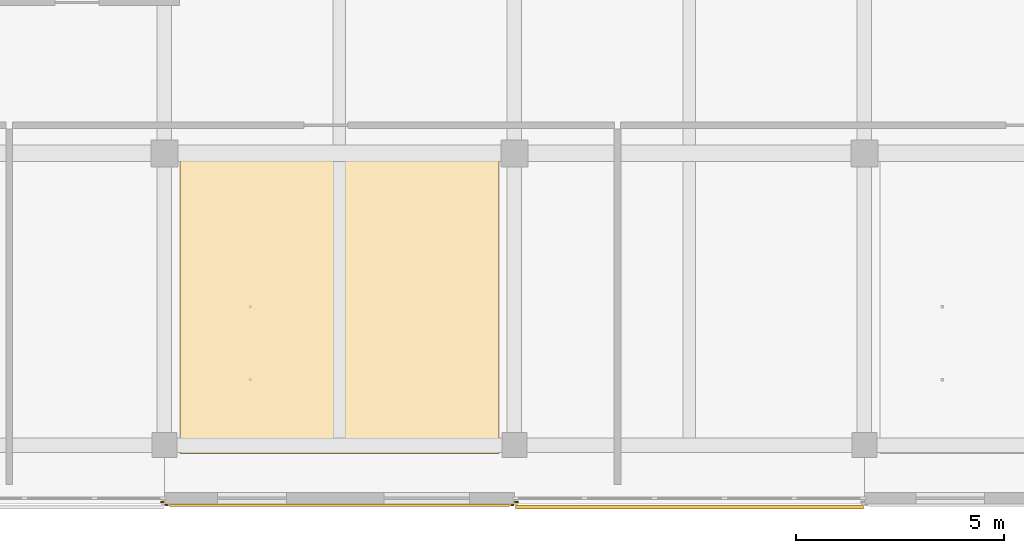
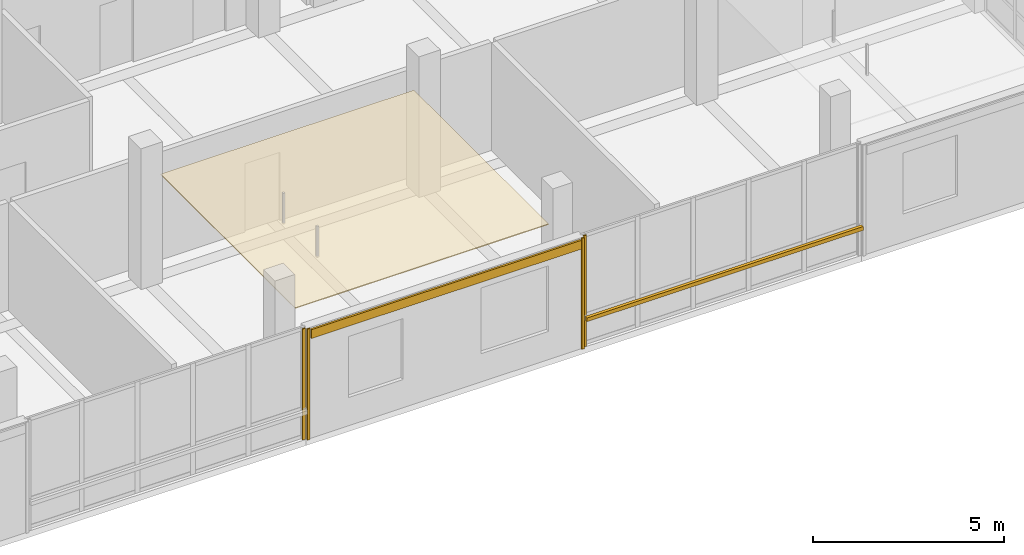
# One storey, part 23 of 29: 6 coverings, 1 shading device.
"""IFC4 building model written with IfcOpenShell, lengths in metres."""

import ifcopenshell
import ifcopenshell.guid

model = None  # the IFC model being written
_history = None  # IfcOwnerHistory: only IFC2X3 demands one
_inside = {}  # id of a spatial element -> (the spatial element, [elements in it])
_under = {}  # id of a project, library or spatial element -> (it, [spatial elements below it])
_declared = {}  # id of a project -> (the project, [libraries it declares])
_typed = {}  # id of a type object -> (the type object, [elements of that type])
_made_of = {}  # id of a material, layer set ... -> (it, [elements and type objects made of it])


def new_model(schema):
    """Start an empty IFC model of exactly this schema.

    Asked for "IFC4X3", IfcOpenShell would pick the latest addendum, in which some entities
    have other attributes; the version numbers below select the first issue.
    IFC2X3 requires an IfcOwnerHistory on every rooted entity: one is made here for all.
    """
    global model, _history
    if schema == "IFC4X3":
        model = ifcopenshell.file(schema_version=(4, 3, 0, 0))
    else:
        model = ifcopenshell.file(schema=schema)
    _inside.clear()
    _under.clear()
    _declared.clear()
    _typed.clear()
    _made_of.clear()
    _history = None
    if model.schema == "IFC2X3":
        org = make("IfcOrganization", Name="unknown")
        user = make(
            "IfcPersonAndOrganization",
            ThePerson=make("IfcPerson", FamilyName="unknown"),
            TheOrganization=org,
        )
        app = make(
            "IfcApplication",
            ApplicationDeveloper=org,
            Version="unknown",
            ApplicationFullName="unknown",
            ApplicationIdentifier="unknown",
        )
        _history = make(
            "IfcOwnerHistory",
            OwningUser=user,
            OwningApplication=app,
            ChangeAction="ADDED",
            CreationDate=0,
        )
    return model


def make(cls, **values):
    """One entity of the class cls with the attributes given. An attribute that is None is left unset."""
    return model.create_entity(
        cls, **{name: value for name, value in values.items() if value is not None}
    )


def rooted(cls, **values):
    """An entity with a GlobalId (a new one), such as an element, a storey or a relation."""
    return make(cls, GlobalId=ifcopenshell.guid.new(), OwnerHistory=_history, **values)


def si_unit(unit_type, name, prefix=None):
    """IfcSIUnit, for example si_unit("LENGTHUNIT", "METRE", prefix="MILLI")."""
    return make("IfcSIUnit", UnitType=unit_type, Prefix=prefix, Name=name)


def assignment(units):
    """IfcUnitAssignment: the units of a project."""
    return None if units is None else make("IfcUnitAssignment", Units=units)


def point(xyz):
    """IfcCartesianPoint."""
    return None if xyz is None else make("IfcCartesianPoint", Coordinates=xyz)


def direction(xyz):
    """IfcDirection."""
    return None if xyz is None else make("IfcDirection", DirectionRatios=xyz)


def frame(location, z_axis=None, x_axis=None):
    """IfcAxis2Placement3D, a coordinate frame: its origin and axes. An axis left out is left unset."""
    return make(
        "IfcAxis2Placement3D",
        Location=point(location),
        Axis=direction(z_axis),
        RefDirection=direction(x_axis),
    )


def frame_2d(location, x_axis=None):
    """IfcAxis2Placement2D, a coordinate frame in the plane: its origin and x axis."""
    return make(
        "IfcAxis2Placement2D", Location=point(location), RefDirection=direction(x_axis)
    )


def origin():
    """The frame at (0, 0, 0) with its axes left unset."""
    return frame((0.0, 0.0, 0.0))


def origin_2d():
    """The frame at (0, 0) in the plane with its x axis left unset."""
    return frame_2d((0.0, 0.0))


def place(relative_to, where):
    """IfcLocalPlacement: puts the frame where relative to a parent placement (None: the world)."""
    return make(
        "IfcLocalPlacement", PlacementRelTo=relative_to, RelativePlacement=where
    )


def context(
    kind, dimensions, precision=None, world=None, true_north=None, identifier=None
):
    """IfcGeometricRepresentationContext, for example the 3D "Model" context."""
    return make(
        "IfcGeometricRepresentationContext",
        ContextIdentifier=identifier,
        ContextType=kind,
        CoordinateSpaceDimension=dimensions,
        Precision=precision,
        WorldCoordinateSystem=world,
        TrueNorth=true_north,
    )


def subcontext(parent, identifier, kind, view, scale=None):
    """IfcGeometricRepresentationSubContext, for example "Body" below "Model"."""
    return make(
        "IfcGeometricRepresentationSubContext",
        ContextIdentifier=identifier,
        ContextType=kind,
        ParentContext=parent,
        TargetScale=scale,
        TargetView=view,
    )


def project(units=None, contexts=None):
    """IfcProject with its units and contexts."""
    return rooted(
        "IfcProject",
        Name="project",
        RepresentationContexts=contexts,
        UnitsInContext=assignment(units),
    )


def spatial(cls, under=None, at=None, **own):
    """A site, building, storey or space (cls), placed at a placement, below another one or the project."""
    s = rooted(cls, ObjectPlacement=at, **own)
    if under is not None:
        _under.setdefault(under.id(), (under, []))[1].append(s)
    return s


def polyline(points):
    """IfcPolyline through the points."""
    return make("IfcPolyline", Points=[point(p) for p in points])


def profile(cls, at=None, kind="AREA", **sizes):
    """A parametric profile (cls). Its sizes go by their IFC names, for example OverallWidth=200.0."""
    return make(cls, ProfileType=kind, Position=at, **sizes)


def rectangle(**sizes):
    """IfcRectangleProfileDef."""
    return profile("IfcRectangleProfileDef", **sizes)


def outline(outer, holes=None, kind="AREA"):
    """IfcArbitraryClosedProfileDef: a profile drawn as a closed curve; with holes, ...WithVoids."""
    if holes is None:
        return make("IfcArbitraryClosedProfileDef", ProfileType=kind, OuterCurve=outer)
    return make(
        "IfcArbitraryProfileDefWithVoids",
        ProfileType=kind,
        OuterCurve=outer,
        InnerCurves=holes,
    )


def extrude(swept, where, along, depth):
    """IfcExtrudedAreaSolid: the profile swept, set in the frame where, extruded along a direction by depth."""
    return make(
        "IfcExtrudedAreaSolid",
        SweptArea=swept,
        Position=where,
        ExtrudedDirection=direction(along),
        Depth=depth,
    )


def shape(context_of_items, identifier, shape_type, items):
    """IfcShapeRepresentation: the items that make up one representation, for example the "Body"."""
    return make(
        "IfcShapeRepresentation",
        ContextOfItems=context_of_items,
        RepresentationIdentifier=identifier,
        RepresentationType=shape_type,
        Items=items,
    )


def material(Name=None, Category=None):
    """IfcMaterial."""
    return make("IfcMaterial", Name=Name, Category=Category)


def layer(
    of_material, thickness, ventilated=None, Name=None, Category=None, Priority=None
):
    """IfcMaterialLayer: one layer of a wall or slab, of a material (None: an air gap)."""
    return make(
        "IfcMaterialLayer",
        Material=of_material,
        LayerThickness=thickness,
        IsVentilated=ventilated,
        Name=Name,
        Category=Category,
        Priority=Priority,
    )


def layer_set(layers, Name=None):
    """IfcMaterialLayerSet."""
    return make("IfcMaterialLayerSet", MaterialLayers=layers, LayerSetName=Name)


def made_of(thing, what):
    """Note that an element or type object is made of a material, layer set ...; save() writes the relation."""
    if what is not None:
        _made_of.setdefault(what.id(), (what, []))[1].append(thing)
    return thing


def type_object(cls, material=None, **own):
    """A type object (cls), such as IfcWallType, which elements share."""
    return made_of(rooted(cls, **own), material)


def element(
    cls,
    number,
    at=None,
    inside=None,
    cuts=None,
    type_object=None,
    material=None,
    context=None,
    identifier="Body",
    shape_type=None,
    held_by="IfcProductDefinitionShape",
    body=None,
    shapes=None,
    **own,
):
    """One element of the class cls, such as IfcWall. Its Tag is "e" and its number.

    at: its placement. inside: the storey or other place that contains it. cuts: it is an
    opening in that element (IfcRelVoidsElement). A single representation is given by context,
    identifier, shape_type and body (its items); several are given by shapes. held_by: the class
    of the entity that holds the representations. save() writes the other relations.
    """
    e = rooted(cls, Tag="e%d" % number, ObjectPlacement=at, **own)
    if body is not None:
        shapes = [shape(context, identifier, shape_type, body)]
    if shapes is not None:
        e.Representation = make(held_by, Representations=shapes)
    if inside is not None:
        _inside.setdefault(inside.id(), (inside, []))[1].append(e)
    if cuts is not None:
        rooted(
            "IfcRelVoidsElement", RelatingBuildingElement=cuts, RelatedOpeningElement=e
        )
    if type_object is not None:
        _typed.setdefault(type_object.id(), (type_object, []))[1].append(e)
    return made_of(e, material)


def aggregate(whole, parts):
    """IfcRelAggregates: a whole, such as a stair, and the parts it consists of."""
    return rooted("IfcRelAggregates", RelatingObject=whole, RelatedObjects=parts)


def save(model, path):
    """Write the relations noted so far, then the file.

    IfcRelAggregates (storeys below a building ...), IfcRelContainedInSpatialStructure (elements
    in a storey), IfcRelDefinesByType, IfcRelAssociatesMaterial and IfcRelDeclares: one each for
    every whole, place, type object, material and project.
    """
    for whole, parts in _under.values():
        aggregate(whole, parts)
    for where, things in _inside.values():
        rooted(
            "IfcRelContainedInSpatialStructure",
            RelatedElements=things,
            RelatingStructure=where,
        )
    for kind, things in _typed.values():
        rooted("IfcRelDefinesByType", RelatedObjects=things, RelatingType=kind)
    for what, things in _made_of.values():
        rooted("IfcRelAssociatesMaterial", RelatedObjects=things, RelatingMaterial=what)
    for by, libraries in _declared.values():
        rooted("IfcRelDeclares", RelatingContext=by, RelatedDefinitions=libraries)
    model.write(path)


model = new_model("IFC4")

# Units and contexts
model_context = context("Model", 3, precision=1e-05, world=origin(), true_north=direction((0.0, 1.0)))
body_context = subcontext(model_context, "Body", "Model", "MODEL_VIEW")
ifc_project = project(units=[si_unit("LENGTHUNIT", "METRE"), si_unit("AREAUNIT", "SQUARE_METRE"), si_unit("VOLUMEUNIT", "CUBIC_METRE"), si_unit("PLANEANGLEUNIT", "RADIAN"), si_unit("MASSUNIT", "GRAM", prefix="KILO")], contexts=[model_context])

# Site, building, storey
site_placement = place(None, origin())
site = spatial("IfcSite", under=ifc_project, at=site_placement, CompositionType="ELEMENT")
building_placement = place(site_placement, origin())
building = spatial("IfcBuilding", under=site, at=building_placement, Name="Telukmera Botanical Conservatory", CompositionType="ELEMENT")
storey_placement = place(building_placement, frame((0.0, 0.0, 55.5)))
storey = spatial("IfcBuildingStorey", under=building, at=storey_placement, Name="L12", CompositionType="ELEMENT", Elevation=55.5)

# Coverings
ifc_material_1 = material(Name="Mineral fibre acoustic ceiling")
ifc_layer_1 = layer(ifc_material_1, 0.030029296875)
ifc_layer_set_1 = layer_set([ifc_layer_1], Name="Mineral fibre acoustic ceiling")
covering_type_1 = type_object("IfcCoveringType", Name="COV-CEIL-30", PredefinedType="CEILING", material=ifc_layer_set_1)
covering_1_placement = place(storey_placement, frame((0.0, 0.0, 3.320068359375)))
element("IfcCovering", 1, at=covering_1_placement, inside=storey, type_object=covering_type_1, Name="L12 Scanning Electron Microscopy Laboratory Suspended Acoustic Ceiling", PredefinedType="CEILING", context=body_context, shape_type="SweptSolid", body=[
    extrude(outline(polyline([(75.969970703125, 10.39990234375), (83.6298828125, 10.39990234375), (83.6298828125, 17.449951171875), (75.969970703125, 17.449951171875), (75.969970703125, 10.39990234375)])), origin(), (0.0, 0.0, 1.0), 0.030029296875),
])
ifc_material_2 = material(Name="Granite-faced precast concrete C40/50", Category="masonry")
ifc_layer_2 = layer(ifc_material_2, 0.0400390625)
ifc_layer_set_2 = layer_set([ifc_layer_2], Name="Granite-faced precast concrete C40/50")
covering_type_2 = type_object("IfcCoveringType", Name="Granite Precast Column Pier Reveal Casing", PredefinedType="CLADDING", material=ifc_layer_set_2)
for number, where, z_axis, x_axis, name in (
    (2, (75.548095703125, 9.22998046875, 0.0), (0.0, 0.0, 1.0), (1.0, 0.0, 0.0), "Granite Pier Reveal V4:L12:S2 R"),
    (3, (75.652099609375, 9.159912109375, 0.0), (0.0, 0.0, 1.0), (1.0, 0.0, 0.0), "Granite Pier Reveal V4:L12:S3 L"),
    (4, (83.947998046875, 9.159912109375, 0.0), (0.0, 0.0, 1.0), (1.0, 0.0, 0.0), "Granite Pier Reveal V4:L12:S3 R"),
    (5, (84.052001953125, 9.22998046875, 0.0), (0.0, 0.0, 1.0), (1.0, 0.0, 0.0), "Granite Pier Reveal V4:L12:S4 L"),
):
    element("IfcCovering", number, at=place(storey_placement, frame(where, z_axis=z_axis, x_axis=x_axis)), inside=storey, type_object=covering_type_2, Name=name, PredefinedType="CLADDING", context=body_context, shape_type="SweptSolid", body=[
        extrude(rectangle(XDim=0.080078125, YDim=0.0400390625, at=origin_2d()), origin(), (0.0, 0.0, 1.0), 3.550048828125),
    ])

# Shading device
ifc_material_3 = material(Name="Perforated terracotta-anodised aluminium 6063-T6", Category="masonry")
ifc_layer_3 = layer(ifc_material_3, 0.044921875)
ifc_layer_set_3 = layer_set([ifc_layer_3], Name="Perforated terracotta-anodised aluminium 6063-T6")
shading_device_type = type_object("IfcShadingDeviceType", Name="Perforated Terracotta Aluminium Monsoon Brise Soleil", PredefinedType="JALOUSIE", material=ifc_layer_set_3)
shading_device_placement = place(storey_placement, frame((88.199951171875, 9.114990234375, 0.889892578125), z_axis=(0.0, 0.0, 1.0), x_axis=(1.0, 0.0, 0.0)))
element("IfcShadingDevice", 6, at=shading_device_placement, inside=storey, type_object=shading_device_type, Name="Monsoon Shading BS01 V4:L12:S4", PredefinedType="JALOUSIE", context=body_context, shape_type="SweptSolid", body=[
    extrude(rectangle(XDim=8.35595703125, YDim=0.090087890625, at=origin_2d()), origin(), (0.0, 0.0, 1.0), 0.1201171875),
])

# Covering
ifc_material_4 = material(Name="Terracotta-faced precast concrete C40/50", Category="masonry")
ifc_layer_4 = layer(ifc_material_4, 0.06005859375)
ifc_layer_set_4 = layer_set([ifc_layer_4], Name="Terracotta-faced precast concrete C40/50")
covering_type_3 = type_object("IfcCoveringType", Name="Polychrome Terracotta Facade Band Cladding", PredefinedType="CLADDING", material=ifc_layer_set_4)
covering_2_placement = place(storey_placement, frame((79.800048828125, 9.14990234375, 3.22998046875), z_axis=(0.0, 0.0, 1.0), x_axis=(1.0, 0.0, 0.0)))
element("IfcCovering", 7, at=covering_2_placement, inside=storey, type_object=covering_type_3, Name="Polychrome Terracotta Band V4:L12:S3", PredefinedType="CLADDING", context=body_context, shape_type="SweptSolid", body=[
    extrude(rectangle(XDim=8.156005859375, YDim=0.06005859375, at=origin_2d()), origin(), (0.0, 0.0, 1.0), 0.280029296875),
])

save(model, "model.ifc")
